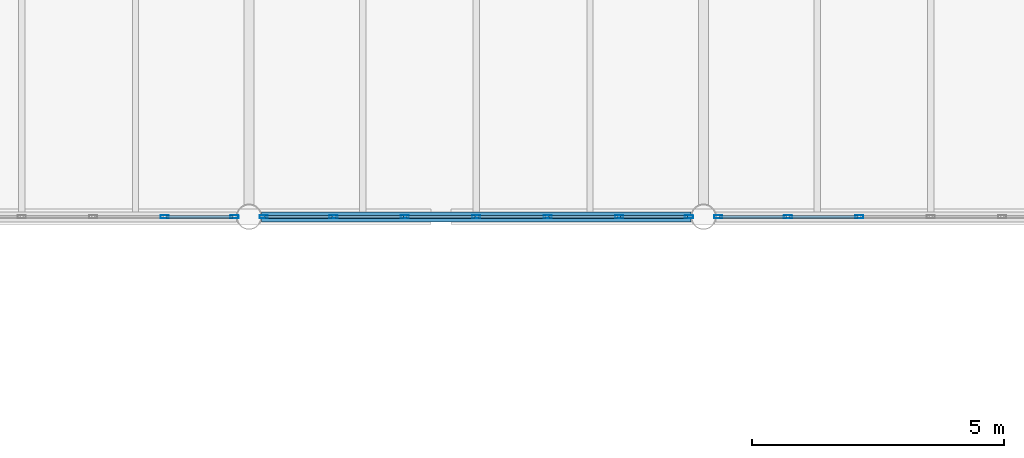
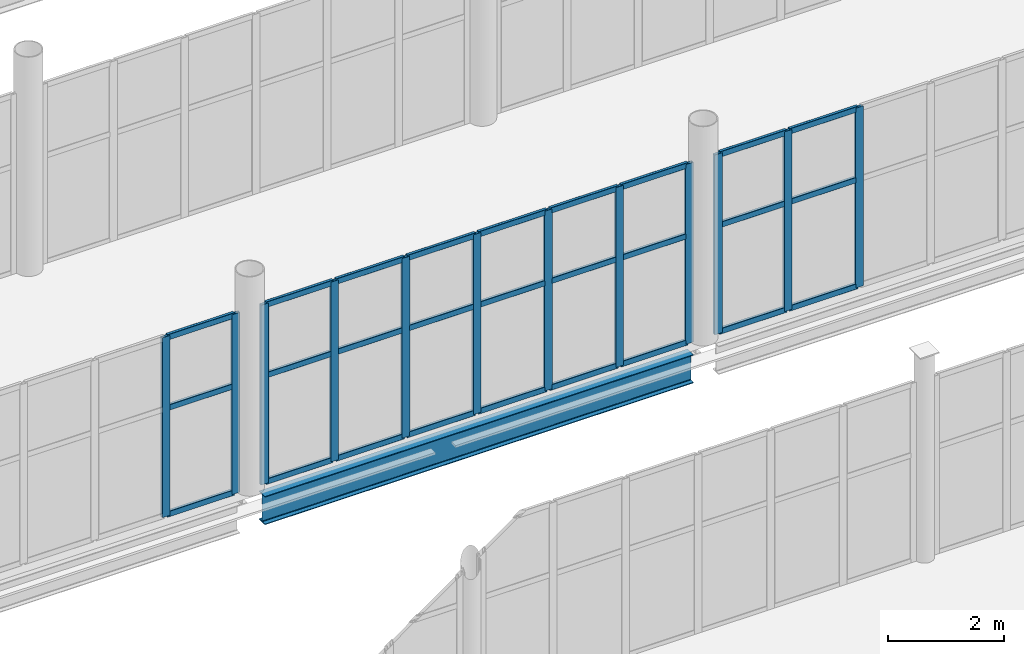
# One storey, part 110 of 172: 39 members, 1 beam, 3 elements without a shape of their own.
"""IFC4 building model written with IfcOpenShell, lengths in metres."""

from ifc_helpers import new_model, si_unit, direction, frame, origin, origin_2d, place, context, subcontext, project, spatial, hollow_rectangle, i_section, extrude, material, material_profile, profile_set, type_object, element, aggregate, save


model = new_model("IFC4")

# Units and contexts
model_context = context("Model", 3, precision=1e-05, world=origin(), true_north=direction((0.0, 1.0)))
body_context = subcontext(model_context, "Body", "Model", "MODEL_VIEW")
ifc_project = project(units=[si_unit("LENGTHUNIT", "METRE"), si_unit("AREAUNIT", "SQUARE_METRE"), si_unit("VOLUMEUNIT", "CUBIC_METRE"), si_unit("PLANEANGLEUNIT", "RADIAN"), si_unit("MASSUNIT", "GRAM", prefix="KILO")], contexts=[model_context])

# Site, building, storey
site_placement = place(None, origin())
site = spatial("IfcSite", under=ifc_project, at=site_placement, CompositionType="ELEMENT")
building_placement = place(site_placement, origin())
building = spatial("IfcBuilding", under=site, at=building_placement, Name="Shengluoqiao Park Theatre", CompositionType="ELEMENT")
storey_placement = place(building_placement, frame((0.0, 0.0, 5.39990234375)))
storey = spatial("IfcBuildingStorey", under=building, at=storey_placement, Name="L01", CompositionType="ELEMENT", Elevation=5.39990234375)

# Curtain wall, members
ifc_material_1 = material(Name="Aluminium 6063-T6", Category="aluminium")
curtain_wall_type = type_object("IfcCurtainWallType", Name="ENV-CW-BRIDGE", PredefinedType="NOTDEFINED", material=ifc_material_1)
curtain_wall_1_placement = place(storey_placement, origin())
curtain_wall_1 = element("IfcCurtainWall", 1, at=curtain_wall_1_placement, inside=storey, type_object=curtain_wall_type, Name="L01 Curtain Wall CWX-L01-0095", PredefinedType="NOTDEFINED")
ifc_material_profile_1 = material_profile(ifc_material_1, hollow_rectangle(XDim=0.06005859375, YDim=0.159912109375, WallThickness=0.00390625, InnerFilletRadius=0.00390625, OuterFilletRadius=0.008056640625, at=origin_2d()), Name="ALU MULLION 160x60x4")
ifc_profile_set_1 = profile_set([ifc_material_profile_1], Name="Aluminium 6063-T6")
member_type_1 = type_object("IfcMemberType", Name="ENV-MUL-160", PredefinedType="MULLION", material=ifc_profile_set_1)
member_1_placement = place(storey_placement, frame((128.72802734375, 68.39990234375, 0.0), z_axis=(0.0, 0.0, 1.0), x_axis=(0.0, 1.0, 0.0)))
member_1 = element("IfcMember", 2, at=member_1_placement, type_object=member_type_1, Name="CW-03 mullion 6", PredefinedType="MULLION", context=body_context, shape_type="SweptSolid", body=[
    extrude(hollow_rectangle(XDim=0.06005859375, YDim=0.159912109375, WallThickness=0.00390625, InnerFilletRadius=0.00390625, OuterFilletRadius=0.008056640625, at=origin_2d()), origin(), (0.0, 0.0, 1.0), 3.772216796875),
])
member_2_placement = place(storey_placement, frame((130.112060546875, 68.39990234375, 0.0), z_axis=(0.0, 0.0, 1.0), x_axis=(0.0, 1.0, 0.0)))
member_2 = element("IfcMember", 3, at=member_2_placement, type_object=member_type_1, Name="CW-03 mullion 7", PredefinedType="MULLION", context=body_context, shape_type="SweptSolid", body=[
    extrude(hollow_rectangle(XDim=0.06005859375, YDim=0.159912109375, WallThickness=0.00390625, InnerFilletRadius=0.00390625, OuterFilletRadius=0.008056640625, at=origin_2d()), origin(), (0.0, 0.0, 1.0), 3.772216796875),
])

curtain_wall_2_placement = place(storey_placement, origin())
curtain_wall_2 = element("IfcCurtainWall", 4, at=curtain_wall_2_placement, inside=storey, type_object=curtain_wall_type, Name="L01 Curtain Wall CWX-L01-0096", PredefinedType="NOTDEFINED")
member_3_placement = place(storey_placement, frame((130.68798828125, 68.39990234375, 0.0), z_axis=(0.0, 0.0, 1.0), x_axis=(0.0, 1.0, 0.0)))
member_3 = element("IfcMember", 5, at=member_3_placement, type_object=member_type_1, Name="CW-03 mullion 1", PredefinedType="MULLION", context=body_context, shape_type="SweptSolid", body=[
    extrude(hollow_rectangle(XDim=0.06005859375, YDim=0.159912109375, WallThickness=0.00390625, InnerFilletRadius=0.00390625, OuterFilletRadius=0.008056640625, at=origin_2d()), origin(), (0.0, 0.0, 1.0), 3.772216796875),
])
member_4_placement = place(storey_placement, frame((132.072021484375, 68.39990234375, 0.0), z_axis=(0.0, 0.0, 1.0), x_axis=(0.0, 1.0, 0.0)))
member_4 = element("IfcMember", 6, at=member_4_placement, type_object=member_type_1, Name="CW-03 mullion 2", PredefinedType="MULLION", context=body_context, shape_type="SweptSolid", body=[
    extrude(hollow_rectangle(XDim=0.06005859375, YDim=0.159912109375, WallThickness=0.00390625, InnerFilletRadius=0.00390625, OuterFilletRadius=0.008056640625, at=origin_2d()), origin(), (0.0, 0.0, 1.0), 3.772216796875),
])
member_5_placement = place(storey_placement, frame((133.486083984375, 68.39990234375, 0.0), z_axis=(0.0, 0.0, 1.0), x_axis=(0.0, 1.0, 0.0)))
member_5 = element("IfcMember", 7, at=member_5_placement, type_object=member_type_1, Name="CW-03 mullion 3", PredefinedType="MULLION", context=body_context, shape_type="SweptSolid", body=[
    extrude(hollow_rectangle(XDim=0.06005859375, YDim=0.159912109375, WallThickness=0.00390625, InnerFilletRadius=0.00390625, OuterFilletRadius=0.008056640625, at=origin_2d()), origin(), (0.0, 0.0, 1.0), 3.772216796875),
])
member_6_placement = place(storey_placement, frame((134.89990234375, 68.39990234375, 0.0), z_axis=(0.0, 0.0, 1.0), x_axis=(0.0, 1.0, 0.0)))
member_6 = element("IfcMember", 8, at=member_6_placement, type_object=member_type_1, Name="CW-03 mullion 4", PredefinedType="MULLION", context=body_context, shape_type="SweptSolid", body=[
    extrude(hollow_rectangle(XDim=0.06005859375, YDim=0.159912109375, WallThickness=0.00390625, InnerFilletRadius=0.00390625, OuterFilletRadius=0.008056640625, at=origin_2d()), origin(), (0.0, 0.0, 1.0), 3.772216796875),
])
member_7_placement = place(storey_placement, frame((136.31396484375, 68.39990234375, 0.0), z_axis=(0.0, 0.0, 1.0), x_axis=(0.0, 1.0, 0.0)))
member_7 = element("IfcMember", 9, at=member_7_placement, type_object=member_type_1, Name="CW-03 mullion 5", PredefinedType="MULLION", context=body_context, shape_type="SweptSolid", body=[
    extrude(hollow_rectangle(XDim=0.06005859375, YDim=0.159912109375, WallThickness=0.00390625, InnerFilletRadius=0.00390625, OuterFilletRadius=0.008056640625, at=origin_2d()), origin(), (0.0, 0.0, 1.0), 3.772216796875),
])
member_8_placement = place(storey_placement, frame((137.72802734375, 68.39990234375, 0.0), z_axis=(0.0, 0.0, 1.0), x_axis=(0.0, 1.0, 0.0)))
member_8 = element("IfcMember", 10, at=member_8_placement, type_object=member_type_1, Name="CW-03 mullion 6", PredefinedType="MULLION", context=body_context, shape_type="SweptSolid", body=[
    extrude(hollow_rectangle(XDim=0.06005859375, YDim=0.159912109375, WallThickness=0.00390625, InnerFilletRadius=0.00390625, OuterFilletRadius=0.008056640625, at=origin_2d()), origin(), (0.0, 0.0, 1.0), 3.772216796875),
])
member_9_placement = place(storey_placement, frame((139.112060546875, 68.39990234375, 0.0), z_axis=(0.0, 0.0, 1.0), x_axis=(0.0, 1.0, 0.0)))
member_9 = element("IfcMember", 11, at=member_9_placement, type_object=member_type_1, Name="CW-03 mullion 7", PredefinedType="MULLION", context=body_context, shape_type="SweptSolid", body=[
    extrude(hollow_rectangle(XDim=0.06005859375, YDim=0.159912109375, WallThickness=0.00390625, InnerFilletRadius=0.00390625, OuterFilletRadius=0.008056640625, at=origin_2d()), origin(), (0.0, 0.0, 1.0), 3.772216796875),
])

curtain_wall_3_placement = place(storey_placement, origin())
curtain_wall_3 = element("IfcCurtainWall", 12, at=curtain_wall_3_placement, inside=storey, type_object=curtain_wall_type, Name="L01 Curtain Wall CWX-L01-0097", PredefinedType="NOTDEFINED")
member_10_placement = place(storey_placement, frame((139.68798828125, 68.39990234375, 0.0), z_axis=(0.0, 0.0, 1.0), x_axis=(0.0, 1.0, 0.0)))
member_10 = element("IfcMember", 13, at=member_10_placement, type_object=member_type_1, Name="CW-03 mullion 1", PredefinedType="MULLION", context=body_context, shape_type="SweptSolid", body=[
    extrude(hollow_rectangle(XDim=0.06005859375, YDim=0.159912109375, WallThickness=0.00390625, InnerFilletRadius=0.00390625, OuterFilletRadius=0.008056640625, at=origin_2d()), origin(), (0.0, 0.0, 1.0), 3.772216796875),
])
member_11_placement = place(storey_placement, frame((141.072021484375, 68.39990234375, 0.0), z_axis=(0.0, 0.0, 1.0), x_axis=(0.0, 1.0, 0.0)))
member_11 = element("IfcMember", 14, at=member_11_placement, type_object=member_type_1, Name="CW-03 mullion 2", PredefinedType="MULLION", context=body_context, shape_type="SweptSolid", body=[
    extrude(hollow_rectangle(XDim=0.06005859375, YDim=0.159912109375, WallThickness=0.00390625, InnerFilletRadius=0.00390625, OuterFilletRadius=0.008056640625, at=origin_2d()), origin(), (0.0, 0.0, 1.0), 3.772216796875),
])
member_12_placement = place(storey_placement, frame((142.486083984375, 68.39990234375, 0.0), z_axis=(0.0, 0.0, 1.0), x_axis=(0.0, 1.0, 0.0)))
member_12 = element("IfcMember", 15, at=member_12_placement, type_object=member_type_1, Name="CW-03 mullion 3", PredefinedType="MULLION", context=body_context, shape_type="SweptSolid", body=[
    extrude(hollow_rectangle(XDim=0.06005859375, YDim=0.159912109375, WallThickness=0.00390625, InnerFilletRadius=0.00390625, OuterFilletRadius=0.008056640625, at=origin_2d()), origin(), (0.0, 0.0, 1.0), 3.772216796875),
])

# Member
ifc_material_profile_2 = material_profile(ifc_material_1, hollow_rectangle(XDim=0.06005859375, YDim=0.1201171875, WallThickness=0.00390625, InnerFilletRadius=0.00390625, OuterFilletRadius=0.008056640625, at=origin_2d()), Name="ALU TRANSOM 120x60x4")
ifc_profile_set_2 = profile_set([ifc_material_profile_2], Name="Aluminium 6063-T6")
member_type_2 = type_object("IfcMemberType", Name="ENV-TRN-120", PredefinedType="USERDEFINED", material=ifc_profile_set_2)
member_13_placement = place(storey_placement, frame((128.758056640625, 68.39990234375, 0.030029296875), z_axis=(1.0, 0.0, 0.0), x_axis=(0.0, 1.0, 0.0)))
member_13 = element("IfcMember", 16, at=member_13_placement, type_object=member_type_2, Name="CW-03 transom 6.1", ObjectType="TRANSOM", PredefinedType="USERDEFINED", context=body_context, shape_type="SweptSolid", body=[
    extrude(hollow_rectangle(XDim=0.06005859375, YDim=0.1201171875, WallThickness=0.00390625, InnerFilletRadius=0.00390625, OuterFilletRadius=0.008056640625, at=origin_2d()), origin(), (0.0, 0.0, 1.0), 1.323974609375),
])

member_14_placement = place(storey_placement, frame((128.758056640625, 68.39990234375, 2.26318359375), z_axis=(1.0, 0.0, 0.0), x_axis=(0.0, 1.0, 0.0)))
member_14 = element("IfcMember", 17, at=member_14_placement, type_object=member_type_2, Name="CW-03 transom 6.2", ObjectType="TRANSOM", PredefinedType="USERDEFINED", context=body_context, shape_type="SweptSolid", body=[
    extrude(hollow_rectangle(XDim=0.06005859375, YDim=0.1201171875, WallThickness=0.00390625, InnerFilletRadius=0.00390625, OuterFilletRadius=0.008056640625, at=origin_2d()), origin(), (0.0, 0.0, 1.0), 1.323974609375),
])

member_15_placement = place(storey_placement, frame((128.758056640625, 68.39990234375, 3.7421875), z_axis=(1.0, 0.0, 0.0), x_axis=(0.0, 1.0, 0.0)))
member_15 = element("IfcMember", 18, at=member_15_placement, type_object=member_type_2, Name="CW-03 transom 6.3", ObjectType="TRANSOM", PredefinedType="USERDEFINED", context=body_context, shape_type="SweptSolid", body=[
    extrude(hollow_rectangle(XDim=0.06005859375, YDim=0.1201171875, WallThickness=0.00390625, InnerFilletRadius=0.00390625, OuterFilletRadius=0.008056640625, at=origin_2d()), origin(), (0.0, 0.0, 1.0), 1.323974609375),
])

aggregate(curtain_wall_1, [member_1, member_2, member_13, member_14, member_15])

member_16_placement = place(storey_placement, frame((130.718017578125, 68.39990234375, 0.030029296875), z_axis=(1.0, 0.0, 0.0), x_axis=(0.0, 1.0, 0.0)))
member_16 = element("IfcMember", 19, at=member_16_placement, type_object=member_type_2, Name="CW-03 transom 1.1", ObjectType="TRANSOM", PredefinedType="USERDEFINED", context=body_context, shape_type="SweptSolid", body=[
    extrude(hollow_rectangle(XDim=0.06005859375, YDim=0.1201171875, WallThickness=0.00390625, InnerFilletRadius=0.00390625, OuterFilletRadius=0.008056640625, at=origin_2d()), origin(), (0.0, 0.0, 1.0), 1.323974609375),
])

member_17_placement = place(storey_placement, frame((130.718017578125, 68.39990234375, 2.26318359375), z_axis=(1.0, 0.0, 0.0), x_axis=(0.0, 1.0, 0.0)))
member_17 = element("IfcMember", 20, at=member_17_placement, type_object=member_type_2, Name="CW-03 transom 1.2", ObjectType="TRANSOM", PredefinedType="USERDEFINED", context=body_context, shape_type="SweptSolid", body=[
    extrude(hollow_rectangle(XDim=0.06005859375, YDim=0.1201171875, WallThickness=0.00390625, InnerFilletRadius=0.00390625, OuterFilletRadius=0.008056640625, at=origin_2d()), origin(), (0.0, 0.0, 1.0), 1.323974609375),
])

member_18_placement = place(storey_placement, frame((130.718017578125, 68.39990234375, 3.7421875), z_axis=(1.0, 0.0, 0.0), x_axis=(0.0, 1.0, 0.0)))
member_18 = element("IfcMember", 21, at=member_18_placement, type_object=member_type_2, Name="CW-03 transom 1.3", ObjectType="TRANSOM", PredefinedType="USERDEFINED", context=body_context, shape_type="SweptSolid", body=[
    extrude(hollow_rectangle(XDim=0.06005859375, YDim=0.1201171875, WallThickness=0.00390625, InnerFilletRadius=0.00390625, OuterFilletRadius=0.008056640625, at=origin_2d()), origin(), (0.0, 0.0, 1.0), 1.323974609375),
])

member_19_placement = place(storey_placement, frame((132.10205078125, 68.39990234375, 0.030029296875), z_axis=(1.0, 0.0, 0.0), x_axis=(0.0, 1.0, 0.0)))
member_19 = element("IfcMember", 22, at=member_19_placement, type_object=member_type_2, Name="CW-03 transom 2.1", ObjectType="TRANSOM", PredefinedType="USERDEFINED", context=body_context, shape_type="SweptSolid", body=[
    extrude(hollow_rectangle(XDim=0.06005859375, YDim=0.1201171875, WallThickness=0.00390625, InnerFilletRadius=0.00390625, OuterFilletRadius=0.008056640625, at=origin_2d()), origin(), (0.0, 0.0, 1.0), 1.35400390625),
])

member_20_placement = place(storey_placement, frame((132.10205078125, 68.39990234375, 2.26318359375), z_axis=(1.0, 0.0, 0.0), x_axis=(0.0, 1.0, 0.0)))
member_20 = element("IfcMember", 23, at=member_20_placement, type_object=member_type_2, Name="CW-03 transom 2.2", ObjectType="TRANSOM", PredefinedType="USERDEFINED", context=body_context, shape_type="SweptSolid", body=[
    extrude(hollow_rectangle(XDim=0.06005859375, YDim=0.1201171875, WallThickness=0.00390625, InnerFilletRadius=0.00390625, OuterFilletRadius=0.008056640625, at=origin_2d()), origin(), (0.0, 0.0, 1.0), 1.35400390625),
])

member_21_placement = place(storey_placement, frame((132.10205078125, 68.39990234375, 3.7421875), z_axis=(1.0, 0.0, 0.0), x_axis=(0.0, 1.0, 0.0)))
member_21 = element("IfcMember", 24, at=member_21_placement, type_object=member_type_2, Name="CW-03 transom 2.3", ObjectType="TRANSOM", PredefinedType="USERDEFINED", context=body_context, shape_type="SweptSolid", body=[
    extrude(hollow_rectangle(XDim=0.06005859375, YDim=0.1201171875, WallThickness=0.00390625, InnerFilletRadius=0.00390625, OuterFilletRadius=0.008056640625, at=origin_2d()), origin(), (0.0, 0.0, 1.0), 1.35400390625),
])

member_22_placement = place(storey_placement, frame((133.51611328125, 68.39990234375, 0.030029296875), z_axis=(1.0, 0.0, 0.0), x_axis=(0.0, 1.0, 0.0)))
member_22 = element("IfcMember", 25, at=member_22_placement, type_object=member_type_2, Name="CW-03 transom 3.1", ObjectType="TRANSOM", PredefinedType="USERDEFINED", context=body_context, shape_type="SweptSolid", body=[
    extrude(hollow_rectangle(XDim=0.06005859375, YDim=0.1201171875, WallThickness=0.00390625, InnerFilletRadius=0.00390625, OuterFilletRadius=0.008056640625, at=origin_2d()), origin(), (0.0, 0.0, 1.0), 1.35400390625),
])

member_23_placement = place(storey_placement, frame((133.51611328125, 68.39990234375, 2.26318359375), z_axis=(1.0, 0.0, 0.0), x_axis=(0.0, 1.0, 0.0)))
member_23 = element("IfcMember", 26, at=member_23_placement, type_object=member_type_2, Name="CW-03 transom 3.2", ObjectType="TRANSOM", PredefinedType="USERDEFINED", context=body_context, shape_type="SweptSolid", body=[
    extrude(hollow_rectangle(XDim=0.06005859375, YDim=0.1201171875, WallThickness=0.00390625, InnerFilletRadius=0.00390625, OuterFilletRadius=0.008056640625, at=origin_2d()), origin(), (0.0, 0.0, 1.0), 1.35400390625),
])

member_24_placement = place(storey_placement, frame((133.51611328125, 68.39990234375, 3.7421875), z_axis=(1.0, 0.0, 0.0), x_axis=(0.0, 1.0, 0.0)))
member_24 = element("IfcMember", 27, at=member_24_placement, type_object=member_type_2, Name="CW-03 transom 3.3", ObjectType="TRANSOM", PredefinedType="USERDEFINED", context=body_context, shape_type="SweptSolid", body=[
    extrude(hollow_rectangle(XDim=0.06005859375, YDim=0.1201171875, WallThickness=0.00390625, InnerFilletRadius=0.00390625, OuterFilletRadius=0.008056640625, at=origin_2d()), origin(), (0.0, 0.0, 1.0), 1.35400390625),
])

member_25_placement = place(storey_placement, frame((134.929931640625, 68.39990234375, 0.030029296875), z_axis=(1.0, 0.0, 0.0), x_axis=(0.0, 1.0, 0.0)))
member_25 = element("IfcMember", 28, at=member_25_placement, type_object=member_type_2, Name="CW-03 transom 4.1", ObjectType="TRANSOM", PredefinedType="USERDEFINED", context=body_context, shape_type="SweptSolid", body=[
    extrude(hollow_rectangle(XDim=0.06005859375, YDim=0.1201171875, WallThickness=0.00390625, InnerFilletRadius=0.00390625, OuterFilletRadius=0.008056640625, at=origin_2d()), origin(), (0.0, 0.0, 1.0), 1.35400390625),
])

member_26_placement = place(storey_placement, frame((134.929931640625, 68.39990234375, 2.26318359375), z_axis=(1.0, 0.0, 0.0), x_axis=(0.0, 1.0, 0.0)))
member_26 = element("IfcMember", 29, at=member_26_placement, type_object=member_type_2, Name="CW-03 transom 4.2", ObjectType="TRANSOM", PredefinedType="USERDEFINED", context=body_context, shape_type="SweptSolid", body=[
    extrude(hollow_rectangle(XDim=0.06005859375, YDim=0.1201171875, WallThickness=0.00390625, InnerFilletRadius=0.00390625, OuterFilletRadius=0.008056640625, at=origin_2d()), origin(), (0.0, 0.0, 1.0), 1.35400390625),
])

member_27_placement = place(storey_placement, frame((134.929931640625, 68.39990234375, 3.7421875), z_axis=(1.0, 0.0, 0.0), x_axis=(0.0, 1.0, 0.0)))
member_27 = element("IfcMember", 30, at=member_27_placement, type_object=member_type_2, Name="CW-03 transom 4.3", ObjectType="TRANSOM", PredefinedType="USERDEFINED", context=body_context, shape_type="SweptSolid", body=[
    extrude(hollow_rectangle(XDim=0.06005859375, YDim=0.1201171875, WallThickness=0.00390625, InnerFilletRadius=0.00390625, OuterFilletRadius=0.008056640625, at=origin_2d()), origin(), (0.0, 0.0, 1.0), 1.35400390625),
])

member_28_placement = place(storey_placement, frame((136.343994140625, 68.39990234375, 0.030029296875), z_axis=(1.0, 0.0, 0.0), x_axis=(0.0, 1.0, 0.0)))
member_28 = element("IfcMember", 31, at=member_28_placement, type_object=member_type_2, Name="CW-03 transom 5.1", ObjectType="TRANSOM", PredefinedType="USERDEFINED", context=body_context, shape_type="SweptSolid", body=[
    extrude(hollow_rectangle(XDim=0.06005859375, YDim=0.1201171875, WallThickness=0.00390625, InnerFilletRadius=0.00390625, OuterFilletRadius=0.008056640625, at=origin_2d()), origin(), (0.0, 0.0, 1.0), 1.35400390625),
])

member_29_placement = place(storey_placement, frame((136.343994140625, 68.39990234375, 2.26318359375), z_axis=(1.0, 0.0, 0.0), x_axis=(0.0, 1.0, 0.0)))
member_29 = element("IfcMember", 32, at=member_29_placement, type_object=member_type_2, Name="CW-03 transom 5.2", ObjectType="TRANSOM", PredefinedType="USERDEFINED", context=body_context, shape_type="SweptSolid", body=[
    extrude(hollow_rectangle(XDim=0.06005859375, YDim=0.1201171875, WallThickness=0.00390625, InnerFilletRadius=0.00390625, OuterFilletRadius=0.008056640625, at=origin_2d()), origin(), (0.0, 0.0, 1.0), 1.35400390625),
])

member_30_placement = place(storey_placement, frame((136.343994140625, 68.39990234375, 3.7421875), z_axis=(1.0, 0.0, 0.0), x_axis=(0.0, 1.0, 0.0)))
member_30 = element("IfcMember", 33, at=member_30_placement, type_object=member_type_2, Name="CW-03 transom 5.3", ObjectType="TRANSOM", PredefinedType="USERDEFINED", context=body_context, shape_type="SweptSolid", body=[
    extrude(hollow_rectangle(XDim=0.06005859375, YDim=0.1201171875, WallThickness=0.00390625, InnerFilletRadius=0.00390625, OuterFilletRadius=0.008056640625, at=origin_2d()), origin(), (0.0, 0.0, 1.0), 1.35400390625),
])

member_31_placement = place(storey_placement, frame((137.758056640625, 68.39990234375, 0.030029296875), z_axis=(1.0, 0.0, 0.0), x_axis=(0.0, 1.0, 0.0)))
member_31 = element("IfcMember", 34, at=member_31_placement, type_object=member_type_2, Name="CW-03 transom 6.1", ObjectType="TRANSOM", PredefinedType="USERDEFINED", context=body_context, shape_type="SweptSolid", body=[
    extrude(hollow_rectangle(XDim=0.06005859375, YDim=0.1201171875, WallThickness=0.00390625, InnerFilletRadius=0.00390625, OuterFilletRadius=0.008056640625, at=origin_2d()), origin(), (0.0, 0.0, 1.0), 1.323974609375),
])

member_32_placement = place(storey_placement, frame((137.758056640625, 68.39990234375, 2.26318359375), z_axis=(1.0, 0.0, 0.0), x_axis=(0.0, 1.0, 0.0)))
member_32 = element("IfcMember", 35, at=member_32_placement, type_object=member_type_2, Name="CW-03 transom 6.2", ObjectType="TRANSOM", PredefinedType="USERDEFINED", context=body_context, shape_type="SweptSolid", body=[
    extrude(hollow_rectangle(XDim=0.06005859375, YDim=0.1201171875, WallThickness=0.00390625, InnerFilletRadius=0.00390625, OuterFilletRadius=0.008056640625, at=origin_2d()), origin(), (0.0, 0.0, 1.0), 1.323974609375),
])

member_33_placement = place(storey_placement, frame((137.758056640625, 68.39990234375, 3.7421875), z_axis=(1.0, 0.0, 0.0), x_axis=(0.0, 1.0, 0.0)))
member_33 = element("IfcMember", 36, at=member_33_placement, type_object=member_type_2, Name="CW-03 transom 6.3", ObjectType="TRANSOM", PredefinedType="USERDEFINED", context=body_context, shape_type="SweptSolid", body=[
    extrude(hollow_rectangle(XDim=0.06005859375, YDim=0.1201171875, WallThickness=0.00390625, InnerFilletRadius=0.00390625, OuterFilletRadius=0.008056640625, at=origin_2d()), origin(), (0.0, 0.0, 1.0), 1.323974609375),
])

aggregate(curtain_wall_2, [member_3, member_4, member_5, member_6, member_7, member_8, member_9, member_16, member_17, member_18, member_19, member_20, member_21, member_22, member_23, member_24, member_25, member_26, member_27, member_28, member_29, member_30, member_31, member_32, member_33])

member_34_placement = place(storey_placement, frame((139.718017578125, 68.39990234375, 0.030029296875), z_axis=(1.0, 0.0, 0.0), x_axis=(0.0, 1.0, 0.0)))
member_34 = element("IfcMember", 37, at=member_34_placement, type_object=member_type_2, Name="CW-03 transom 1.1", ObjectType="TRANSOM", PredefinedType="USERDEFINED", context=body_context, shape_type="SweptSolid", body=[
    extrude(hollow_rectangle(XDim=0.06005859375, YDim=0.1201171875, WallThickness=0.00390625, InnerFilletRadius=0.00390625, OuterFilletRadius=0.008056640625, at=origin_2d()), origin(), (0.0, 0.0, 1.0), 1.323974609375),
])

member_35_placement = place(storey_placement, frame((139.718017578125, 68.39990234375, 2.26318359375), z_axis=(1.0, 0.0, 0.0), x_axis=(0.0, 1.0, 0.0)))
member_35 = element("IfcMember", 38, at=member_35_placement, type_object=member_type_2, Name="CW-03 transom 1.2", ObjectType="TRANSOM", PredefinedType="USERDEFINED", context=body_context, shape_type="SweptSolid", body=[
    extrude(hollow_rectangle(XDim=0.06005859375, YDim=0.1201171875, WallThickness=0.00390625, InnerFilletRadius=0.00390625, OuterFilletRadius=0.008056640625, at=origin_2d()), origin(), (0.0, 0.0, 1.0), 1.323974609375),
])

member_36_placement = place(storey_placement, frame((139.718017578125, 68.39990234375, 3.7421875), z_axis=(1.0, 0.0, 0.0), x_axis=(0.0, 1.0, 0.0)))
member_36 = element("IfcMember", 39, at=member_36_placement, type_object=member_type_2, Name="CW-03 transom 1.3", ObjectType="TRANSOM", PredefinedType="USERDEFINED", context=body_context, shape_type="SweptSolid", body=[
    extrude(hollow_rectangle(XDim=0.06005859375, YDim=0.1201171875, WallThickness=0.00390625, InnerFilletRadius=0.00390625, OuterFilletRadius=0.008056640625, at=origin_2d()), origin(), (0.0, 0.0, 1.0), 1.323974609375),
])

member_37_placement = place(storey_placement, frame((141.10205078125, 68.39990234375, 0.030029296875), z_axis=(1.0, 0.0, 0.0), x_axis=(0.0, 1.0, 0.0)))
member_37 = element("IfcMember", 40, at=member_37_placement, type_object=member_type_2, Name="CW-03 transom 2.1", ObjectType="TRANSOM", PredefinedType="USERDEFINED", context=body_context, shape_type="SweptSolid", body=[
    extrude(hollow_rectangle(XDim=0.06005859375, YDim=0.1201171875, WallThickness=0.00390625, InnerFilletRadius=0.00390625, OuterFilletRadius=0.008056640625, at=origin_2d()), origin(), (0.0, 0.0, 1.0), 1.35400390625),
])

member_38_placement = place(storey_placement, frame((141.10205078125, 68.39990234375, 2.26318359375), z_axis=(1.0, 0.0, 0.0), x_axis=(0.0, 1.0, 0.0)))
member_38 = element("IfcMember", 41, at=member_38_placement, type_object=member_type_2, Name="CW-03 transom 2.2", ObjectType="TRANSOM", PredefinedType="USERDEFINED", context=body_context, shape_type="SweptSolid", body=[
    extrude(hollow_rectangle(XDim=0.06005859375, YDim=0.1201171875, WallThickness=0.00390625, InnerFilletRadius=0.00390625, OuterFilletRadius=0.008056640625, at=origin_2d()), origin(), (0.0, 0.0, 1.0), 1.35400390625),
])

member_39_placement = place(storey_placement, frame((141.10205078125, 68.39990234375, 3.7421875), z_axis=(1.0, 0.0, 0.0), x_axis=(0.0, 1.0, 0.0)))
member_39 = element("IfcMember", 42, at=member_39_placement, type_object=member_type_2, Name="CW-03 transom 2.3", ObjectType="TRANSOM", PredefinedType="USERDEFINED", context=body_context, shape_type="SweptSolid", body=[
    extrude(hollow_rectangle(XDim=0.06005859375, YDim=0.1201171875, WallThickness=0.00390625, InnerFilletRadius=0.00390625, OuterFilletRadius=0.008056640625, at=origin_2d()), origin(), (0.0, 0.0, 1.0), 1.35400390625),
])

aggregate(curtain_wall_3, [member_10, member_11, member_12, member_34, member_35, member_36, member_37, member_38, member_39])

# Beam
ifc_material_2 = material(Name="Steel Q355", Category="steel")
ifc_material_profile_3 = material_profile(ifc_material_2, i_section(OverallWidth=0.198974609375, OverallDepth=0.595947265625, WebThickness=0.010009765625, FlangeThickness=0.014892578125, FilletRadius=0.02001953125, at=origin_2d()), Name="HN 596x199x10x15")
ifc_profile_set_3 = profile_set([ifc_material_profile_3], Name="Steel Q355")
beam_type = type_object("IfcBeamType", Name="STR-BM-SP-HN596", PredefinedType="SPANDREL", material=ifc_profile_set_3)
beam_placement = place(storey_placement, frame((130.64794921875, 68.39990234375, -0.5078125), z_axis=(1.0, 0.0, 0.0), x_axis=(0.0, 1.0, 0.0)))
element("IfcBeam", 43, at=beam_placement, inside=storey, type_object=beam_type, Name="L01 Primary Girder 00521", PredefinedType="SPANDREL", context=body_context, shape_type="SweptSolid", body=[
    extrude(i_section(OverallWidth=0.198974609375, OverallDepth=0.595947265625, WebThickness=0.010009765625, FlangeThickness=0.014892578125, FilletRadius=0.02001953125, at=origin_2d()), origin(), (0.0, 0.0, 1.0), 8.504150390625),
])

save(model, "model.ifc")
